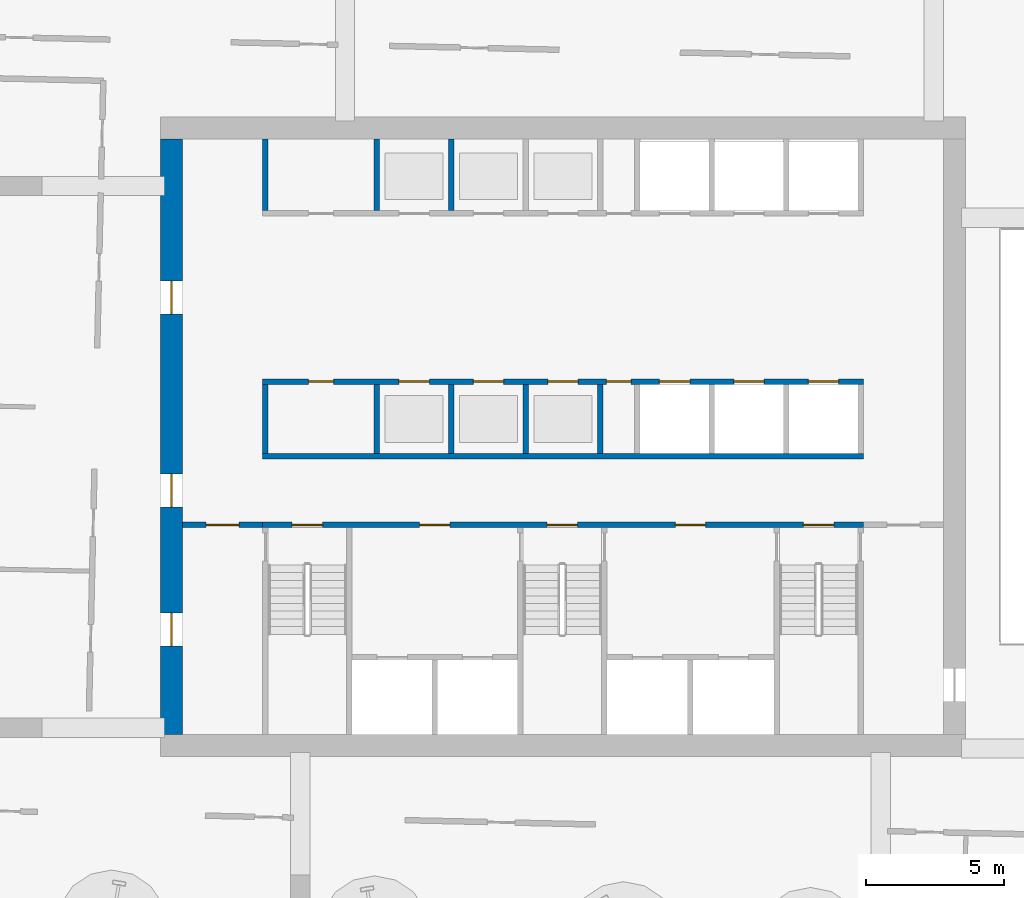
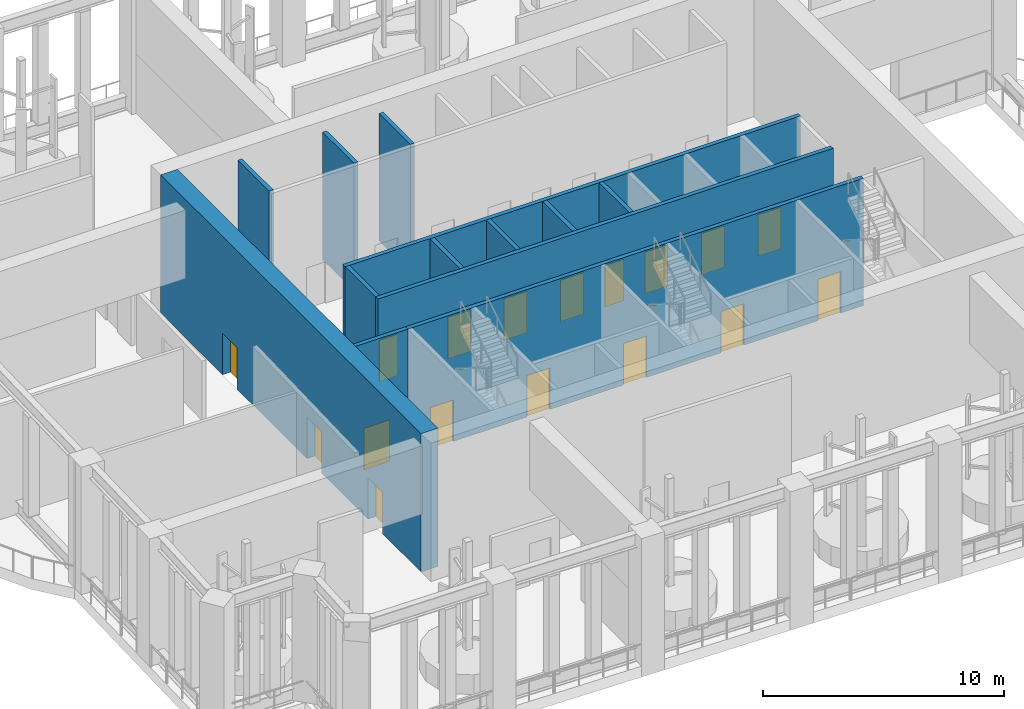
# One storey, part 8 of 33: 17 doors, 13 walls, 17 openings.
"""IFC4 building model written with IfcOpenShell, lengths in metres."""

from ifc_helpers import new_model, si_unit, direction, frame, frame_2d, origin, place, context, subcontext, project, spatial, rectangle, extrude, material, layer, layer_set, type_object, element, fill, save


model = new_model("IFC4")

# Units and contexts
model_context = context("Model", 3, precision=1e-05, world=origin(), true_north=direction((0.0, 1.0)))
body_context = subcontext(model_context, "Body", "Model", "MODEL_VIEW")
ifc_project = project(units=[si_unit("LENGTHUNIT", "METRE"), si_unit("AREAUNIT", "SQUARE_METRE"), si_unit("VOLUMEUNIT", "CUBIC_METRE"), si_unit("PLANEANGLEUNIT", "RADIAN"), si_unit("MASSUNIT", "GRAM", prefix="KILO")], contexts=[model_context])

# Site, building, storey
site_placement = place(None, origin())
site = spatial("IfcSite", under=ifc_project, at=site_placement, CompositionType="ELEMENT")
building_placement = place(site_placement, origin())
building = spatial("IfcBuilding", under=site, at=building_placement, Name="Mangrove Gate Tower", CompositionType="ELEMENT")
storey_placement = place(building_placement, frame((0.0, 0.0, 219.5)))
storey = spatial("IfcBuildingStorey", under=building, at=storey_placement, Name="L56", CompositionType="ELEMENT", Elevation=219.5)

# Wall, opening, door
ifc_material_1 = material(Name="Concrete C32/40", Category="concrete")
ifc_layer_1 = layer(ifc_material_1, 0.199951171875)
ifc_layer_set_1 = layer_set([ifc_layer_1], Name="Core lobby wall 200 C32/40")
wall_type_1 = type_object("IfcWallType", Name="Core lobby wall 200 C32/40", PredefinedType="STANDARD", material=ifc_layer_set_1)
wall_1_placement = place(storey_placement, frame((-13.800048828125, -3.199951171875, 0.0), z_axis=(0.0, 0.0, 1.0), x_axis=(1.0, 0.0, 0.0)))
wall_1 = element("IfcWall", 1, at=wall_1_placement, inside=storey, type_object=wall_type_1, Name="WALL-L56-CORE-37", PredefinedType="STANDARD", context=body_context, shape_type="SweptSolid", body=[
    extrude(rectangle(XDim=2.900146484375, YDim=0.199951171875, at=frame_2d((1.4501953125, 0.0))), origin(), (0.0, 0.0, 1.0), 6.449951171875),
])
opening_1_placement = place(wall_1_placement, frame((0.85009765625, 0.0, 0.0)))
opening_1 = element("IfcOpeningElement", 2, at=opening_1_placement, cuts=wall_1, Name="Opening FL12", PredefinedType="OPENING", context=body_context, shape_type="SweptSolid", body=[
    extrude(rectangle(XDim=1.199951171875, YDim=2.10009765625, at=frame_2d((0.60009765625, 1.050048828125))), frame((0.0, 0.10986328125, 0.0), z_axis=(0.0, -1.0, 0.0), x_axis=(1.0, 0.0, 0.0)), (0.0, 0.0, 1.0), 0.219970703125),
])
ifc_material_2 = material(Name="Fire-rated steel door set", Category="steel")
door_type_1 = type_object("IfcDoorType", Name="Lobby door FD60 1200x2100", OperationType="SINGLE_SWING_LEFT", PredefinedType="DOOR", material=ifc_material_2)
door_1_placement = place(opening_1_placement, origin())
door_1 = element("IfcDoor", 3, at=door_1_placement, inside=storey, type_object=door_type_1, Name="Lobby door refuge lobby W link", OperationType="SINGLE_SWING_LEFT", OverallHeight=2.10009765625, OverallWidth=1.199951171875, PredefinedType="DOOR", context=body_context, shape_type="SweptSolid", body=[
    extrude(rectangle(XDim=1.199951171875, YDim=2.10009765625, at=frame_2d((0.60009765625, 1.050048828125))), frame((0.0, 0.02490234375, 0.0), z_axis=(0.0, -1.0, 0.0), x_axis=(1.0, 0.0, 0.0)), (0.0, 0.0, 1.0), 0.050048828125),
])
fill(opening_1, door_1)

# Walls
ifc_material_3 = material(Name="Concrete C32/40", Category="concrete")
ifc_layer_2 = layer(ifc_material_3, 0.199951171875)
ifc_layer_set_2 = layer_set([ifc_layer_2], Name="Core room wall 200 C32/40")
wall_type_2 = type_object("IfcWallType", Name="Core room wall 200 C32/40", PredefinedType="STANDARD", material=ifc_layer_set_2)
wall_2_placement = place(storey_placement, frame((-10.800048828125, -0.60009765625, 0.0), z_axis=(0.0, 0.0, 1.0), x_axis=(0.0, 1.0, 0.0)))
element("IfcWall", 4, at=wall_2_placement, inside=storey, type_object=wall_type_2, Name="WALL-L56-CORE-19", PredefinedType="STANDARD", context=body_context, shape_type="SweptSolid", body=[
    extrude(rectangle(XDim=2.5, YDim=0.199951171875, at=frame_2d((1.25, 0.0))), origin(), (0.0, 0.0, 1.0), 6.449951171875),
])
wall_3_placement = place(storey_placement, frame((-10.800048828125, 8.199951171875, 0.0), z_axis=(0.0, 0.0, 1.0), x_axis=(0.0, 1.0, 0.0)))
element("IfcWall", 5, at=wall_3_placement, inside=storey, type_object=wall_type_2, Name="WALL-L56-CORE-28", PredefinedType="STANDARD", context=body_context, shape_type="SweptSolid", body=[
    extrude(rectangle(XDim=2.60009765625, YDim=0.199951171875, at=frame_2d((1.300048828125, 0.0))), origin(), (0.0, 0.0, 1.0), 6.449951171875),
])
ifc_material_4 = material(Name="Concrete C60/75", Category="concrete")
ifc_layer_3 = layer(ifc_material_4, 0.199951171875)
ifc_layer_set_3 = layer_set([ifc_layer_3], Name="Core shaft wall 200 C60/75")
wall_type_3 = type_object("IfcWallType", Name="Core shaft wall 200 C60/75", PredefinedType="SHEAR", material=ifc_layer_set_3)
wall_4_placement = place(storey_placement, frame((-10.89990234375, -0.699951171875, 0.0), z_axis=(0.0, 0.0, 1.0), x_axis=(1.0, 0.0, 0.0)))
element("IfcWall", 6, at=wall_4_placement, inside=storey, type_object=wall_type_3, Name="WALL-L56-CORE-6", PredefinedType="SHEAR", context=body_context, shape_type="SweptSolid", body=[
    extrude(rectangle(XDim=21.7998046875, YDim=0.199951171875, at=frame_2d((10.89990234375, 0.0))), origin(), (0.0, 0.0, 1.0), 6.449951171875),
])

# Wall, openings, doors
wall_5_placement = place(storey_placement, frame((-10.89990234375, 2.0, 0.0), z_axis=(0.0, 0.0, 1.0), x_axis=(1.0, 0.0, 0.0)))
wall_5 = element("IfcWall", 7, at=wall_5_placement, inside=storey, type_object=wall_type_3, Name="WALL-L56-CORE-7", PredefinedType="SHEAR", context=body_context, shape_type="SweptSolid", body=[
    extrude(rectangle(XDim=21.7998046875, YDim=0.199951171875, at=frame_2d((10.89990234375, 0.0))), origin(), (0.0, 0.0, 1.0), 6.449951171875),
])
opening_2_placement = place(wall_5_placement, frame((4.949951171875, 0.0, 0.0)))
opening_2 = element("IfcOpeningElement", 8, at=opening_2_placement, cuts=wall_5, Name="Opening LD", PredefinedType="OPENING", context=body_context, shape_type="SweptSolid", body=[
    extrude(rectangle(XDim=1.10009765625, YDim=2.10009765625, at=frame_2d((0.550048828125, 1.050048828125))), frame((0.0, 0.10986328125, 0.0), z_axis=(0.0, -1.0, 0.0), x_axis=(1.0, 0.0, 0.0)), (0.0, 0.0, 1.0), 0.219970703125),
])
opening_3_placement = place(wall_5_placement, frame((7.64990234375, 0.0, 0.0)))
opening_3 = element("IfcOpeningElement", 9, at=opening_3_placement, cuts=wall_5, Name="Opening LD", PredefinedType="OPENING", context=body_context, shape_type="SweptSolid", body=[
    extrude(rectangle(XDim=1.10009765625, YDim=2.10009765625, at=frame_2d((0.550048828125, 1.050048828125))), frame((0.0, 0.10986328125, 0.0), z_axis=(0.0, -1.0, 0.0), x_axis=(1.0, 0.0, 0.0)), (0.0, 0.0, 1.0), 0.219970703125),
])
opening_4_placement = place(wall_5_placement, frame((10.35009765625, 0.0, 0.0)))
opening_4 = element("IfcOpeningElement", 10, at=opening_4_placement, cuts=wall_5, Name="Opening LD", PredefinedType="OPENING", context=body_context, shape_type="SweptSolid", body=[
    extrude(rectangle(XDim=1.10009765625, YDim=2.10009765625, at=frame_2d((0.550048828125, 1.050048828125))), frame((0.0, 0.10986328125, 0.0), z_axis=(0.0, -1.0, 0.0), x_axis=(1.0, 0.0, 0.0)), (0.0, 0.0, 1.0), 0.219970703125),
])
opening_5_placement = place(wall_5_placement, frame((14.39990234375, 0.0, 0.0)))
opening_5 = element("IfcOpeningElement", 11, at=opening_5_placement, cuts=wall_5, Name="Opening LD", PredefinedType="OPENING", context=body_context, shape_type="SweptSolid", body=[
    extrude(rectangle(XDim=1.10009765625, YDim=2.10009765625, at=frame_2d((0.550048828125, 1.050048828125))), frame((0.0, 0.10986328125, 0.0), z_axis=(0.0, -1.0, 0.0), x_axis=(1.0, 0.0, 0.0)), (0.0, 0.0, 1.0), 0.219970703125),
])
opening_6_placement = place(wall_5_placement, frame((17.10009765625, 0.0, 0.0)))
opening_6 = element("IfcOpeningElement", 12, at=opening_6_placement, cuts=wall_5, Name="Opening LD", PredefinedType="OPENING", context=body_context, shape_type="SweptSolid", body=[
    extrude(rectangle(XDim=1.10009765625, YDim=2.10009765625, at=frame_2d((0.550048828125, 1.050048828125))), frame((0.0, 0.10986328125, 0.0), z_axis=(0.0, -1.0, 0.0), x_axis=(1.0, 0.0, 0.0)), (0.0, 0.0, 1.0), 0.219970703125),
])
opening_7_placement = place(wall_5_placement, frame((19.800048828125, 0.0, 0.0)))
opening_7 = element("IfcOpeningElement", 13, at=opening_7_placement, cuts=wall_5, Name="Opening LD", PredefinedType="OPENING", context=body_context, shape_type="SweptSolid", body=[
    extrude(rectangle(XDim=1.10009765625, YDim=2.10009765625, at=frame_2d((0.550048828125, 1.050048828125))), frame((0.0, 0.10986328125, 0.0), z_axis=(0.0, -1.0, 0.0), x_axis=(1.0, 0.0, 0.0)), (0.0, 0.0, 1.0), 0.219970703125),
])
opening_8_placement = place(wall_5_placement, frame((1.675048828125, 0.0, 0.0)))
opening_8 = element("IfcOpeningElement", 14, at=opening_8_placement, cuts=wall_5, Name="Opening KD", PredefinedType="OPENING", context=body_context, shape_type="SweptSolid", body=[
    extrude(rectangle(XDim=0.89990234375, YDim=2.10009765625, at=frame_2d((0.449951171875, 1.050048828125))), frame((0.0, 0.10986328125, 0.0), z_axis=(0.0, -1.0, 0.0), x_axis=(1.0, 0.0, 0.0)), (0.0, 0.0, 1.0), 0.219970703125),
])
opening_9_placement = place(wall_5_placement, frame((12.47509765625, 0.0, 0.0)))
opening_9 = element("IfcOpeningElement", 15, at=opening_9_placement, cuts=wall_5, Name="Opening KD", PredefinedType="OPENING", context=body_context, shape_type="SweptSolid", body=[
    extrude(rectangle(XDim=0.89990234375, YDim=2.10009765625, at=frame_2d((0.449951171875, 1.050048828125))), frame((0.0, 0.10986328125, 0.0), z_axis=(0.0, -1.0, 0.0), x_axis=(1.0, 0.0, 0.0)), (0.0, 0.0, 1.0), 0.219970703125),
])
ifc_material_5 = material(Name="Fire-rated steel door set", Category="steel")
door_type_2 = type_object("IfcDoorType", Name="Core room door FD30S 900x2100", OperationType="SINGLE_SWING_RIGHT", PredefinedType="DOOR", material=ifc_material_5)
door_2_placement = place(opening_8_placement, origin())
door_2 = element("IfcDoor", 16, at=door_2_placement, inside=storey, type_object=door_type_2, Name="Core room door Pantry store", OperationType="SINGLE_SWING_RIGHT", OverallHeight=2.10009765625, OverallWidth=0.89990234375, PredefinedType="DOOR", context=body_context, shape_type="SweptSolid", body=[
    extrude(rectangle(XDim=0.89990234375, YDim=2.10009765625, at=frame_2d((0.449951171875, 1.050048828125))), frame((0.0, 0.02490234375, 0.0), z_axis=(0.0, -1.0, 0.0), x_axis=(1.0, 0.0, 0.0)), (0.0, 0.0, 1.0), 0.050048828125),
])
fill(opening_8, door_2)
door_3_placement = place(opening_9_placement, origin())
door_3 = element("IfcDoor", 17, at=door_3_placement, inside=storey, type_object=door_type_2, Name="Core room door Cleaner's store", OperationType="SINGLE_SWING_RIGHT", OverallHeight=2.10009765625, OverallWidth=0.89990234375, PredefinedType="DOOR", context=body_context, shape_type="SweptSolid", body=[
    extrude(rectangle(XDim=0.89990234375, YDim=2.10009765625, at=frame_2d((0.449951171875, 1.050048828125))), frame((0.0, 0.02490234375, 0.0), z_axis=(0.0, -1.0, 0.0), x_axis=(1.0, 0.0, 0.0)), (0.0, 0.0, 1.0), 0.050048828125),
])
fill(opening_9, door_3)
ifc_material_6 = material(Name="Stainless steel 316", Category="steel")
door_type_3 = type_object("IfcDoorType", Name="Lift landing door 1100x2100", OperationType="SLIDING_TO_LEFT", PredefinedType="DOOR", material=ifc_material_6)
door_4_placement = place(opening_2_placement, origin())
door_4 = element("IfcDoor", 18, at=door_4_placement, inside=storey, type_object=door_type_3, Name="Landing door LD H01", OperationType="SLIDING_TO_LEFT", OverallHeight=2.10009765625, OverallWidth=1.10009765625, PredefinedType="DOOR", context=body_context, shape_type="SweptSolid", body=[
    extrude(rectangle(XDim=1.10009765625, YDim=2.10009765625, at=frame_2d((0.550048828125, 1.050048828125))), frame((0.0, 0.02490234375, 0.0), z_axis=(0.0, -1.0, 0.0), x_axis=(1.0, 0.0, 0.0)), (0.0, 0.0, 1.0), 0.050048828125),
])
fill(opening_2, door_4)
door_5_placement = place(opening_3_placement, origin())
door_5 = element("IfcDoor", 19, at=door_5_placement, inside=storey, type_object=door_type_3, Name="Landing door LD H02", OperationType="SLIDING_TO_LEFT", OverallHeight=2.10009765625, OverallWidth=1.10009765625, PredefinedType="DOOR", context=body_context, shape_type="SweptSolid", body=[
    extrude(rectangle(XDim=1.10009765625, YDim=2.10009765625, at=frame_2d((0.550048828125, 1.050048828125))), frame((0.0, 0.02490234375, 0.0), z_axis=(0.0, -1.0, 0.0), x_axis=(1.0, 0.0, 0.0)), (0.0, 0.0, 1.0), 0.050048828125),
])
fill(opening_3, door_5)
door_6_placement = place(opening_4_placement, origin())
door_6 = element("IfcDoor", 20, at=door_6_placement, inside=storey, type_object=door_type_3, Name="Landing door LD H03", OperationType="SLIDING_TO_LEFT", OverallHeight=2.10009765625, OverallWidth=1.10009765625, PredefinedType="DOOR", context=body_context, shape_type="SweptSolid", body=[
    extrude(rectangle(XDim=1.10009765625, YDim=2.10009765625, at=frame_2d((0.550048828125, 1.050048828125))), frame((0.0, 0.02490234375, 0.0), z_axis=(0.0, -1.0, 0.0), x_axis=(1.0, 0.0, 0.0)), (0.0, 0.0, 1.0), 0.050048828125),
])
fill(opening_4, door_6)
door_7_placement = place(opening_5_placement, origin())
door_7 = element("IfcDoor", 21, at=door_7_placement, inside=storey, type_object=door_type_3, Name="Landing door LD M01", OperationType="SLIDING_TO_LEFT", OverallHeight=2.10009765625, OverallWidth=1.10009765625, PredefinedType="DOOR", context=body_context, shape_type="SweptSolid", body=[
    extrude(rectangle(XDim=1.10009765625, YDim=2.10009765625, at=frame_2d((0.550048828125, 1.050048828125))), frame((0.0, 0.02490234375, 0.0), z_axis=(0.0, -1.0, 0.0), x_axis=(1.0, 0.0, 0.0)), (0.0, 0.0, 1.0), 0.050048828125),
])
fill(opening_5, door_7)
door_8_placement = place(opening_6_placement, origin())
door_8 = element("IfcDoor", 22, at=door_8_placement, inside=storey, type_object=door_type_3, Name="Landing door LD M02", OperationType="SLIDING_TO_LEFT", OverallHeight=2.10009765625, OverallWidth=1.10009765625, PredefinedType="DOOR", context=body_context, shape_type="SweptSolid", body=[
    extrude(rectangle(XDim=1.10009765625, YDim=2.10009765625, at=frame_2d((0.550048828125, 1.050048828125))), frame((0.0, 0.02490234375, 0.0), z_axis=(0.0, -1.0, 0.0), x_axis=(1.0, 0.0, 0.0)), (0.0, 0.0, 1.0), 0.050048828125),
])
fill(opening_6, door_8)
door_9_placement = place(opening_7_placement, origin())
door_9 = element("IfcDoor", 23, at=door_9_placement, inside=storey, type_object=door_type_3, Name="Landing door LD M03", OperationType="SLIDING_TO_LEFT", OverallHeight=2.10009765625, OverallWidth=1.10009765625, PredefinedType="DOOR", context=body_context, shape_type="SweptSolid", body=[
    extrude(rectangle(XDim=1.10009765625, YDim=2.10009765625, at=frame_2d((0.550048828125, 1.050048828125))), frame((0.0, 0.02490234375, 0.0), z_axis=(0.0, -1.0, 0.0), x_axis=(1.0, 0.0, 0.0)), (0.0, 0.0, 1.0), 0.050048828125),
])
fill(opening_7, door_9)

# Walls
for number, where, z_axis, x_axis, name in (
    (24, (-6.75, -0.60009765625, 0.0), (0.0, 0.0, 1.0), (0.0, 1.0, 0.0), "WALL-L56-CORE-20"),
    (25, (-4.050048828125, -0.60009765625, 0.0), (0.0, 0.0, 1.0), (0.0, 1.0, 0.0), "WALL-L56-CORE-21"),
    (26, (-1.35009765625, -0.60009765625, 0.0), (0.0, 0.0, 1.0), (0.0, 1.0, 0.0), "WALL-L56-CORE-22"),
    (27, (1.35009765625, -0.60009765625, 0.0), (0.0, 0.0, 1.0), (0.0, 1.0, 0.0), "WALL-L56-CORE-23"),
):
    element("IfcWall", number, at=place(storey_placement, frame(where, z_axis=z_axis, x_axis=x_axis)), inside=storey, type_object=wall_type_3, Name=name, PredefinedType="SHEAR", context=body_context, shape_type="SweptSolid", body=[
        extrude(rectangle(XDim=2.5, YDim=0.199951171875, at=frame_2d((1.25, 0.0))), origin(), (0.0, 0.0, 1.0), 6.449951171875),
    ])
for number, where, z_axis, x_axis, name in (
    (28, (-6.75, 8.199951171875, 0.0), (0.0, 0.0, 1.0), (0.0, 1.0, 0.0), "WALL-L56-CORE-29"),
    (29, (-4.050048828125, 8.199951171875, 0.0), (0.0, 0.0, 1.0), (0.0, 1.0, 0.0), "WALL-L56-CORE-30"),
):
    element("IfcWall", number, at=place(storey_placement, frame(where, z_axis=z_axis, x_axis=x_axis)), inside=storey, type_object=wall_type_3, Name=name, PredefinedType="SHEAR", context=body_context, shape_type="SweptSolid", body=[
        extrude(rectangle(XDim=2.60009765625, YDim=0.199951171875, at=frame_2d((1.300048828125, 0.0))), origin(), (0.0, 0.0, 1.0), 6.449951171875),
    ])

# Wall, openings, doors
ifc_material_7 = material(Name="Concrete C60/75", Category="concrete")
ifc_layer_4 = layer(ifc_material_7, 0.199951171875)
ifc_layer_set_4 = layer_set([ifc_layer_4], Name="Core stair wall 200 C60/75")
wall_type_4 = type_object("IfcWallType", Name="Core stair wall 200 C60/75", PredefinedType="SHEAR", material=ifc_layer_set_4)
wall_6_placement = place(storey_placement, frame((-10.89990234375, -3.199951171875, 0.0), z_axis=(0.0, 0.0, 1.0), x_axis=(1.0, 0.0, 0.0)))
wall_6 = element("IfcWall", 30, at=wall_6_placement, inside=storey, type_object=wall_type_4, Name="WALL-L56-CORE-5", PredefinedType="SHEAR", context=body_context, shape_type="SweptSolid", body=[
    extrude(rectangle(XDim=21.7998046875, YDim=0.199951171875, at=frame_2d((10.89990234375, 0.0))), origin(), (0.0, 0.0, 1.0), 6.449951171875),
])
opening_10_placement = place(wall_6_placement, frame((1.074951171875, 0.0, 0.0)))
opening_10 = element("IfcOpeningElement", 31, at=opening_10_placement, cuts=wall_6, Name="Opening STD11", PredefinedType="OPENING", context=body_context, shape_type="SweptSolid", body=[
    extrude(rectangle(XDim=1.10009765625, YDim=2.10009765625, at=frame_2d((0.550048828125, 1.050048828125))), frame((0.0, 0.10986328125, 0.0), z_axis=(0.0, -1.0, 0.0), x_axis=(1.0, 0.0, 0.0)), (0.0, 0.0, 1.0), 0.219970703125),
])
opening_11_placement = place(wall_6_placement, frame((10.324951171875, 0.0, 0.0)))
opening_11 = element("IfcOpeningElement", 32, at=opening_11_placement, cuts=wall_6, Name="Opening STD11", PredefinedType="OPENING", context=body_context, shape_type="SweptSolid", body=[
    extrude(rectangle(XDim=1.10009765625, YDim=2.10009765625, at=frame_2d((0.550048828125, 1.050048828125))), frame((0.0, 0.10986328125, 0.0), z_axis=(0.0, -1.0, 0.0), x_axis=(1.0, 0.0, 0.0)), (0.0, 0.0, 1.0), 0.219970703125),
])
opening_12_placement = place(wall_6_placement, frame((19.625, 0.0, 0.0)))
opening_12 = element("IfcOpeningElement", 33, at=opening_12_placement, cuts=wall_6, Name="Opening STD11", PredefinedType="OPENING", context=body_context, shape_type="SweptSolid", body=[
    extrude(rectangle(XDim=1.10009765625, YDim=2.10009765625, at=frame_2d((0.550048828125, 1.050048828125))), frame((0.0, 0.10986328125, 0.0), z_axis=(0.0, -1.0, 0.0), x_axis=(1.0, 0.0, 0.0)), (0.0, 0.0, 1.0), 0.219970703125),
])
opening_13_placement = place(wall_6_placement, frame((5.699951171875, 0.0, 0.0)))
opening_13 = element("IfcOpeningElement", 34, at=opening_13_placement, cuts=wall_6, Name="Opening FL", PredefinedType="OPENING", context=body_context, shape_type="SweptSolid", body=[
    extrude(rectangle(XDim=1.10009765625, YDim=2.10009765625, at=frame_2d((0.550048828125, 1.050048828125))), frame((0.0, 0.10986328125, 0.0), z_axis=(0.0, -1.0, 0.0), x_axis=(1.0, 0.0, 0.0)), (0.0, 0.0, 1.0), 0.219970703125),
])
opening_14_placement = place(wall_6_placement, frame((14.97509765625, 0.0, 0.0)))
opening_14 = element("IfcOpeningElement", 35, at=opening_14_placement, cuts=wall_6, Name="Opening FL", PredefinedType="OPENING", context=body_context, shape_type="SweptSolid", body=[
    extrude(rectangle(XDim=1.10009765625, YDim=2.10009765625, at=frame_2d((0.550048828125, 1.050048828125))), frame((0.0, 0.10986328125, 0.0), z_axis=(0.0, -1.0, 0.0), x_axis=(1.0, 0.0, 0.0)), (0.0, 0.0, 1.0), 0.219970703125),
])
ifc_material_8 = material(Name="Fire-rated steel door set", Category="steel")
door_type_4 = type_object("IfcDoorType", Name="Lobby door FD60 1100x2100", OperationType="SINGLE_SWING_LEFT", PredefinedType="DOOR", material=ifc_material_8)
door_10_placement = place(opening_13_placement, origin())
door_10 = element("IfcDoor", 36, at=door_10_placement, inside=storey, type_object=door_type_4, Name="Lobby door service lobby", OperationType="SINGLE_SWING_LEFT", OverallHeight=2.10009765625, OverallWidth=1.10009765625, PredefinedType="DOOR", context=body_context, shape_type="SweptSolid", body=[
    extrude(rectangle(XDim=1.10009765625, YDim=2.10009765625, at=frame_2d((0.550048828125, 1.050048828125))), frame((0.0, 0.02490234375, 0.0), z_axis=(0.0, -1.0, 0.0), x_axis=(1.0, 0.0, 0.0)), (0.0, 0.0, 1.0), 0.050048828125),
])
fill(opening_13, door_10)
door_11_placement = place(opening_14_placement, origin())
door_11 = element("IfcDoor", 37, at=door_11_placement, inside=storey, type_object=door_type_4, Name="Lobby door fire-fighting lobby", OperationType="SINGLE_SWING_LEFT", OverallHeight=2.10009765625, OverallWidth=1.10009765625, PredefinedType="DOOR", context=body_context, shape_type="SweptSolid", body=[
    extrude(rectangle(XDim=1.10009765625, YDim=2.10009765625, at=frame_2d((0.550048828125, 1.050048828125))), frame((0.0, 0.02490234375, 0.0), z_axis=(0.0, -1.0, 0.0), x_axis=(1.0, 0.0, 0.0)), (0.0, 0.0, 1.0), 0.050048828125),
])
fill(opening_14, door_11)
ifc_material_9 = material(Name="Fire-rated steel door set", Category="steel")
door_type_5 = type_object("IfcDoorType", Name="Stair door FD60 1100x2100", OperationType="SINGLE_SWING_RIGHT", PredefinedType="DOOR", material=ifc_material_9)
door_12_placement = place(opening_10_placement, origin())
door_12 = element("IfcDoor", 38, at=door_12_placement, inside=storey, type_object=door_type_5, Name="Stair door Stair 1", OperationType="SINGLE_SWING_RIGHT", OverallHeight=2.10009765625, OverallWidth=1.10009765625, PredefinedType="DOOR", context=body_context, shape_type="SweptSolid", body=[
    extrude(rectangle(XDim=1.10009765625, YDim=2.10009765625, at=frame_2d((0.550048828125, 1.050048828125))), frame((0.0, 0.02490234375, 0.0), z_axis=(0.0, -1.0, 0.0), x_axis=(1.0, 0.0, 0.0)), (0.0, 0.0, 1.0), 0.050048828125),
])
fill(opening_10, door_12)
door_13_placement = place(opening_11_placement, origin())
door_13 = element("IfcDoor", 39, at=door_13_placement, inside=storey, type_object=door_type_5, Name="Stair door Stair 2", OperationType="SINGLE_SWING_RIGHT", OverallHeight=2.10009765625, OverallWidth=1.10009765625, PredefinedType="DOOR", context=body_context, shape_type="SweptSolid", body=[
    extrude(rectangle(XDim=1.10009765625, YDim=2.10009765625, at=frame_2d((0.550048828125, 1.050048828125))), frame((0.0, 0.02490234375, 0.0), z_axis=(0.0, -1.0, 0.0), x_axis=(1.0, 0.0, 0.0)), (0.0, 0.0, 1.0), 0.050048828125),
])
fill(opening_11, door_13)
door_14_placement = place(opening_12_placement, origin())
door_14 = element("IfcDoor", 40, at=door_14_placement, inside=storey, type_object=door_type_5, Name="Stair door Stair 3", OperationType="SINGLE_SWING_RIGHT", OverallHeight=2.10009765625, OverallWidth=1.10009765625, PredefinedType="DOOR", context=body_context, shape_type="SweptSolid", body=[
    extrude(rectangle(XDim=1.10009765625, YDim=2.10009765625, at=frame_2d((0.550048828125, 1.050048828125))), frame((0.0, 0.02490234375, 0.0), z_axis=(0.0, -1.0, 0.0), x_axis=(1.0, 0.0, 0.0)), (0.0, 0.0, 1.0), 0.050048828125),
])
fill(opening_12, door_14)

ifc_material_10 = material(Name="Concrete C60/75", Category="concrete")
ifc_layer_5 = layer(ifc_material_10, 0.800048828125)
ifc_layer_set_5 = layer_set([ifc_layer_5], Name="Core wall 800 C60/75")
wall_type_5 = type_object("IfcWallType", Name="Core wall 800 C60/75", PredefinedType="SHEAR", material=ifc_layer_set_5)
wall_7_placement = place(storey_placement, frame((-14.199951171875, -10.800048828125, 0.0), z_axis=(0.0, 0.0, 1.0), x_axis=(0.0, 1.0, 0.0)))
wall_7 = element("IfcWall", 41, at=wall_7_placement, inside=storey, type_object=wall_type_5, Name="WALL-L56-CORE-3", PredefinedType="SHEAR", context=body_context, shape_type="SweptSolid", body=[
    extrude(rectangle(XDim=21.60009765625, YDim=0.800048828125, at=frame_2d((10.800048828125, 0.0))), origin(), (0.0, 0.0, 1.0), 7.0),
])
opening_15_placement = place(wall_7_placement, frame((8.25, 0.0, 0.0)))
opening_15 = element("IfcOpeningElement", 42, at=opening_15_placement, cuts=wall_7, Name="Opening CD", PredefinedType="OPENING", context=body_context, shape_type="SweptSolid", body=[
    extrude(rectangle(XDim=1.199951171875, YDim=2.10009765625, at=frame_2d((0.60009765625, 1.050048828125))), frame((0.0, 0.409912109375, 0.0), z_axis=(0.0, -1.0, 0.0), x_axis=(1.0, 0.0, 0.0)), (0.0, 0.0, 1.0), 0.820068359375),
])
opening_16_placement = place(wall_7_placement, frame((15.25, 0.0, 0.0)))
opening_16 = element("IfcOpeningElement", 43, at=opening_16_placement, cuts=wall_7, Name="Opening CD", PredefinedType="OPENING", context=body_context, shape_type="SweptSolid", body=[
    extrude(rectangle(XDim=1.199951171875, YDim=2.10009765625, at=frame_2d((0.60009765625, 1.050048828125))), frame((0.0, 0.409912109375, 0.0), z_axis=(0.0, -1.0, 0.0), x_axis=(1.0, 0.0, 0.0)), (0.0, 0.0, 1.0), 0.820068359375),
])
opening_17_placement = place(wall_7_placement, frame((3.199951171875, 0.0, 0.0)))
opening_17 = element("IfcOpeningElement", 44, at=opening_17_placement, cuts=wall_7, Name="Opening CD", PredefinedType="OPENING", context=body_context, shape_type="SweptSolid", body=[
    extrude(rectangle(XDim=1.199951171875, YDim=2.10009765625, at=frame_2d((0.60009765625, 1.050048828125))), frame((0.0, 0.409912109375, 0.0), z_axis=(0.0, -1.0, 0.0), x_axis=(1.0, 0.0, 0.0)), (0.0, 0.0, 1.0), 0.820068359375),
])
ifc_material_11 = material(Name="Fire-rated steel door set", Category="steel")
door_type_6 = type_object("IfcDoorType", Name="Core ring door FD60 1200x2100", OperationType="DOUBLE_DOOR_SINGLE_SWING", PredefinedType="DOOR", material=ifc_material_11)
door_15_placement = place(opening_15_placement, origin())
door_15 = element("IfcDoor", 45, at=door_15_placement, inside=storey, type_object=door_type_6, Name="Core ring door W1", OperationType="DOUBLE_DOOR_SINGLE_SWING", OverallHeight=2.10009765625, OverallWidth=1.199951171875, PredefinedType="DOOR", context=body_context, shape_type="SweptSolid", body=[
    extrude(rectangle(XDim=1.199951171875, YDim=2.10009765625, at=frame_2d((0.60009765625, 1.050048828125))), frame((0.0, 0.02490234375, 0.0), z_axis=(0.0, -1.0, 0.0), x_axis=(1.0, 0.0, 0.0)), (0.0, 0.0, 1.0), 0.050048828125),
])
fill(opening_15, door_15)
door_16_placement = place(opening_16_placement, origin())
door_16 = element("IfcDoor", 46, at=door_16_placement, inside=storey, type_object=door_type_6, Name="Core ring door W2", OperationType="DOUBLE_DOOR_SINGLE_SWING", OverallHeight=2.10009765625, OverallWidth=1.199951171875, PredefinedType="DOOR", context=body_context, shape_type="SweptSolid", body=[
    extrude(rectangle(XDim=1.199951171875, YDim=2.10009765625, at=frame_2d((0.60009765625, 1.050048828125))), frame((0.0, 0.02490234375, 0.0), z_axis=(0.0, -1.0, 0.0), x_axis=(1.0, 0.0, 0.0)), (0.0, 0.0, 1.0), 0.050048828125),
])
fill(opening_16, door_16)
door_17_placement = place(opening_17_placement, origin())
door_17 = element("IfcDoor", 47, at=door_17_placement, inside=storey, type_object=door_type_6, Name="Core ring door W3", OperationType="DOUBLE_DOOR_SINGLE_SWING", OverallHeight=2.10009765625, OverallWidth=1.199951171875, PredefinedType="DOOR", context=body_context, shape_type="SweptSolid", body=[
    extrude(rectangle(XDim=1.199951171875, YDim=2.10009765625, at=frame_2d((0.60009765625, 1.050048828125))), frame((0.0, 0.02490234375, 0.0), z_axis=(0.0, -1.0, 0.0), x_axis=(1.0, 0.0, 0.0)), (0.0, 0.0, 1.0), 0.050048828125),
])
fill(opening_17, door_17)

save(model, "model.ifc")
